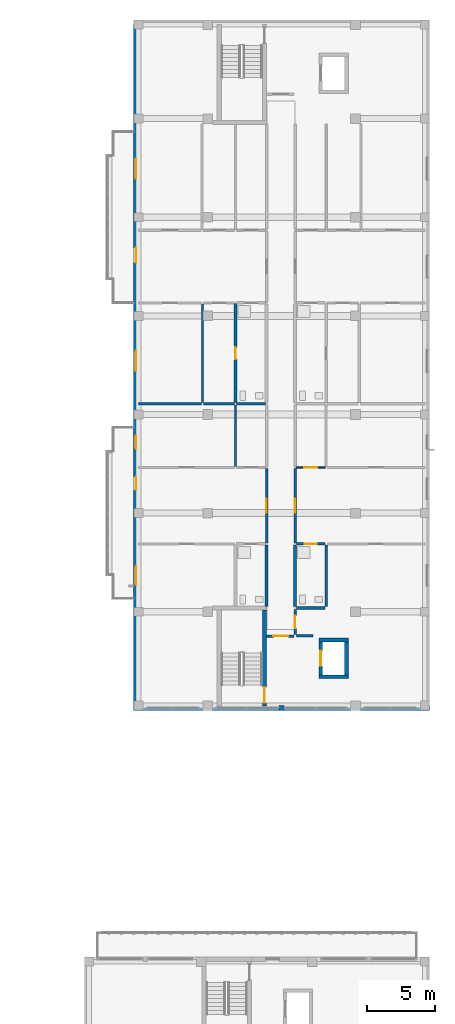
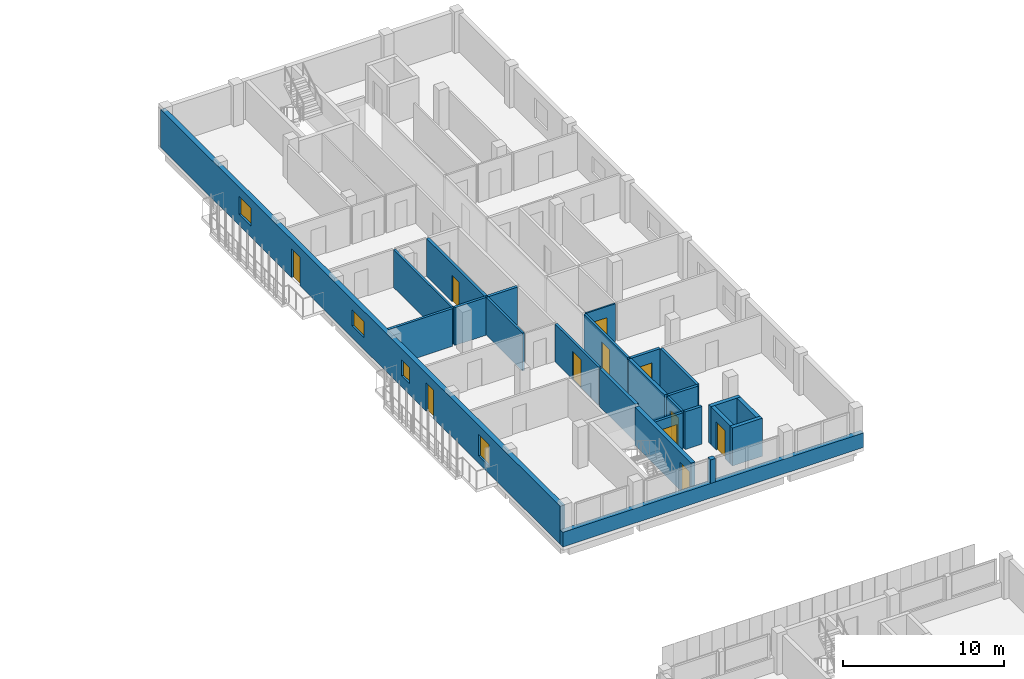
# One storey, part 34 of 51: 25 walls, 11 doors, 4 windows, 15 openings.
"""IFC4 building model written with IfcOpenShell, lengths in metres."""

from ifc_helpers import new_model, si_unit, derived_unit, direction, frame, frame_2d, origin, place, context, subcontext, project, spatial, rectangle, extrude, material, layer, layer_set, type_object, element, fill, save


model = new_model("IFC4")

# Units and contexts
model_context = context("Model", 3, precision=1e-05, world=origin(), true_north=direction((0.0, 1.0)))
body_context = subcontext(model_context, "Body", "Model", "MODEL_VIEW")
ifc_project = project(units=[si_unit("LENGTHUNIT", "METRE"), si_unit("AREAUNIT", "SQUARE_METRE"), si_unit("VOLUMEUNIT", "CUBIC_METRE"), si_unit("PLANEANGLEUNIT", "RADIAN"), si_unit("MASSUNIT", "GRAM", prefix="KILO"), derived_unit("THERMALTRANSMITTANCEUNIT", [(si_unit("MASSUNIT", "GRAM", prefix="KILO"), 1), (si_unit("TIMEUNIT", "SECOND"), -3), (si_unit("THERMODYNAMICTEMPERATUREUNIT", "KELVIN"), -1)])], contexts=[model_context])

# Site, building, storey
site_placement = place(None, origin())
site = spatial("IfcSite", under=ifc_project, at=site_placement, CompositionType="ELEMENT")
building_placement = place(site_placement, origin())
building = spatial("IfcBuilding", under=site, at=building_placement, Name="Ochrekiln Boulevard Commons", CompositionType="ELEMENT")
storey_placement = place(building_placement, frame((0.0, 0.0, 15.22509765625)))
storey = spatial("IfcBuildingStorey", under=building, at=storey_placement, Name="L04", CompositionType="ELEMENT", Elevation=15.22509765625)

# Wall, openings, doors, windows
ifc_material_1 = material(Name="Iron-spot brown clinker brick masonry ASTM C216 Grade SW", Category="masonry")
ifc_layer_1 = layer(ifc_material_1, 0.340087890625)
ifc_layer_set_1 = layer_set([ifc_layer_1], Name="Iron-spot brown clinker brick masonry ASTM C216 Grade SW")
wall_type_1 = type_object("IfcWallType", Name="WL-EXT-IRON-340", PredefinedType="SOLIDWALL", material=ifc_layer_set_1)
wall_1_placement = place(storey_placement, frame((151.3701171875, 68.739990234375, 0.0), z_axis=(0.0, 0.0, 1.0), x_axis=(0.0, 1.0, 0.0)))
wall_1 = element("IfcWall", 1, at=wall_1_placement, inside=storey, type_object=wall_type_1, Name="Block B L04 W Exterior Wall", PredefinedType="SOLIDWALL", context=body_context, shape_type="SweptSolid", body=[
    extrude(rectangle(XDim=49.719970703125, YDim=0.340087890625, at=frame_2d((24.85986328125, 0.0))), origin(), (0.0, 0.0, 1.0), 2.889892578125),
])
opening_1_placement = place(wall_1_placement, frame((15.764892578125, 0.0, 0.0)))
opening_1 = element("IfcOpeningElement", 2, at=opening_1_placement, cuts=wall_1, Name="Opening D-L04-BL027", PredefinedType="OPENING", context=body_context, shape_type="SweptSolid", body=[
    extrude(rectangle(XDim=0.949951171875, YDim=2.14990234375, at=frame_2d((0.47509765625, 1.074951171875))), frame((0.0, 0.179931640625, 0.0), z_axis=(0.0, -1.0, 0.0), x_axis=(1.0, 0.0, 0.0)), (0.0, 0.0, 1.0), 0.360107421875),
])
opening_2_placement = place(wall_1_placement, frame((8.822998046875, 0.0, 0.554931640625)))
opening_2 = element("IfcOpeningElement", 3, at=opening_2_placement, cuts=wall_1, Name="Opening W-24", PredefinedType="OPENING", context=body_context, shape_type="SweptSolid", body=[
    extrude(rectangle(XDim=1.35009765625, YDim=1.64990234375, at=frame_2d((0.675048828125, 0.824951171875))), frame((0.0, 0.179931640625, 0.0), z_axis=(0.0, -1.0, 0.0), x_axis=(1.0, 0.0, 0.0)), (0.0, 0.0, 1.0), 0.360107421875),
])
opening_3_placement = place(wall_1_placement, frame((18.760009765625, 0.0, 0.85009765625)))
opening_3 = element("IfcOpeningElement", 4, at=opening_3_placement, cuts=wall_1, Name="Opening W-01", PredefinedType="OPENING", context=body_context, shape_type="SweptSolid", body=[
    extrude(rectangle(XDim=0.949951171875, YDim=1.199951171875, at=frame_2d((0.47509765625, 0.60009765625))), frame((0.0, 0.179931640625, 0.0), z_axis=(0.0, -1.0, 0.0), x_axis=(1.0, 0.0, 0.0)), (0.0, 0.0, 1.0), 0.360107421875),
])
opening_4_placement = place(wall_1_placement, frame((32.344970703125, 0.0, 0.0)))
opening_4 = element("IfcOpeningElement", 5, at=opening_4_placement, cuts=wall_1, Name="Opening D-L04-BL028", PredefinedType="OPENING", context=body_context, shape_type="SweptSolid", body=[
    extrude(rectangle(XDim=1.080078125, YDim=2.179931640625, at=frame_2d((0.5400390625, 1.08984375))), frame((0.0, 0.179931640625, 0.0), z_axis=(0.0, -1.0, 0.0), x_axis=(1.0, 0.0, 0.0)), (0.0, 0.0, 1.0), 0.360107421875),
])
opening_5_placement = place(wall_1_placement, frame((24.422119140625, 0.0, 0.89990234375)))
opening_5 = element("IfcOpeningElement", 6, at=opening_5_placement, cuts=wall_1, Name="Opening W-26", PredefinedType="OPENING", context=body_context, shape_type="SweptSolid", body=[
    extrude(rectangle(XDim=1.47998046875, YDim=1.199951171875, at=frame_2d((0.739990234375, 0.60009765625))), frame((0.0, 0.179931640625, 0.0), z_axis=(0.0, -1.0, 0.0), x_axis=(1.0, 0.0, 0.0)), (0.0, 0.0, 1.0), 0.360107421875),
])
opening_6_placement = place(wall_1_placement, frame((38.455078125, 0.0, 0.85498046875)))
opening_6 = element("IfcOpeningElement", 7, at=opening_6_placement, cuts=wall_1, Name="Opening W-27", PredefinedType="OPENING", context=body_context, shape_type="SweptSolid", body=[
    extrude(rectangle(XDim=1.47998046875, YDim=1.35009765625, at=frame_2d((0.739990234375, 0.675048828125))), frame((0.0, 0.179931640625, 0.0), z_axis=(0.0, -1.0, 0.0), x_axis=(1.0, 0.0, 0.0)), (0.0, 0.0, 1.0), 0.360107421875),
])
ifc_material_2 = material(Name="Thermally broken aluminium-clad oak frame", Category="aluminium")
door_type_1 = type_object("IfcDoorType", Name="DR-EXT-BAL-095", OperationType="NOTDEFINED", PredefinedType="DOOR", material=ifc_material_2)
door_1_placement = place(opening_1_placement, origin())
door_1 = element("IfcDoor", 8, at=door_1_placement, inside=storey, type_object=door_type_1, Name="Block B L04 Glazed Balcony Patio Door", OperationType="SINGLE_SWING_RIGHT", OverallHeight=2.14990234375, OverallWidth=0.949951171875, PredefinedType="DOOR", context=body_context, shape_type="SweptSolid", body=[
    extrude(rectangle(XDim=0.949951171875, YDim=2.14990234375, at=frame_2d((0.47509765625, 1.074951171875))), frame((0.0, 0.02490234375, 0.0), z_axis=(0.0, -1.0, 0.0), x_axis=(1.0, 0.0, 0.0)), (0.0, 0.0, 1.0), 0.050048828125),
])
fill(opening_1, door_1)
door_type_2 = type_object("IfcDoorType", Name="DR-EXT-BAL-108", OperationType="NOTDEFINED", PredefinedType="DOOR", material=ifc_material_2)
door_2_placement = place(opening_4_placement, origin())
door_2 = element("IfcDoor", 9, at=door_2_placement, inside=storey, type_object=door_type_2, Name="Block B L04 Glazed Balcony Patio Door", OperationType="SINGLE_SWING_LEFT", OverallHeight=2.179931640625, OverallWidth=1.080078125, PredefinedType="DOOR", context=body_context, shape_type="SweptSolid", body=[
    extrude(rectangle(XDim=1.080078125, YDim=2.179931640625, at=frame_2d((0.5400390625, 1.08984375))), frame((0.0, 0.02490234375, 0.0), z_axis=(0.0, -1.0, 0.0), x_axis=(1.0, 0.0, 0.0)), (0.0, 0.0, 1.0), 0.050048828125),
])
fill(opening_4, door_2)
window_type_1 = type_object("IfcWindowType", Name="WIN-EXT-01", PartitioningType="SINGLE_PANEL", PredefinedType="WINDOW", material=ifc_material_2)
window_1_placement = place(opening_3_placement, origin())
window_1 = element("IfcWindow", 10, at=window_1_placement, inside=storey, type_object=window_type_1, Name="Block B L04 Punched Masonry Window W-01", OverallHeight=1.199951171875, OverallWidth=0.949951171875, PartitioningType="SINGLE_PANEL", PredefinedType="WINDOW", context=body_context, shape_type="SweptSolid", body=[
    extrude(rectangle(XDim=0.949951171875, YDim=1.199951171875, at=frame_2d((0.47509765625, 0.60009765625))), frame((0.0, 0.030029296875, 0.0), z_axis=(0.0, -1.0, 0.0), x_axis=(1.0, 0.0, 0.0)), (0.0, 0.0, 1.0), 0.06005859375),
])
fill(opening_3, window_1)
window_type_2 = type_object("IfcWindowType", Name="WIN-EXT-24", PartitioningType="SINGLE_PANEL", PredefinedType="WINDOW", material=ifc_material_2)
window_2_placement = place(opening_2_placement, origin())
window_2 = element("IfcWindow", 11, at=window_2_placement, inside=storey, type_object=window_type_2, Name="Block B L04 Punched Masonry Window W-24", OverallHeight=1.64990234375, OverallWidth=1.35009765625, PartitioningType="SINGLE_PANEL", PredefinedType="WINDOW", context=body_context, shape_type="SweptSolid", body=[
    extrude(rectangle(XDim=1.35009765625, YDim=1.64990234375, at=frame_2d((0.675048828125, 0.824951171875))), frame((0.0, 0.030029296875, 0.0), z_axis=(0.0, -1.0, 0.0), x_axis=(1.0, 0.0, 0.0)), (0.0, 0.0, 1.0), 0.06005859375),
])
fill(opening_2, window_2)
window_type_3 = type_object("IfcWindowType", Name="WIN-EXT-26", PartitioningType="SINGLE_PANEL", PredefinedType="WINDOW", material=ifc_material_2)
window_3_placement = place(opening_5_placement, origin())
window_3 = element("IfcWindow", 12, at=window_3_placement, inside=storey, type_object=window_type_3, Name="Block B L04 Punched Masonry Window W-26", OverallHeight=1.199951171875, OverallWidth=1.47998046875, PartitioningType="SINGLE_PANEL", PredefinedType="WINDOW", context=body_context, shape_type="SweptSolid", body=[
    extrude(rectangle(XDim=1.47998046875, YDim=1.199951171875, at=frame_2d((0.739990234375, 0.60009765625))), frame((0.0, 0.030029296875, 0.0), z_axis=(0.0, -1.0, 0.0), x_axis=(1.0, 0.0, 0.0)), (0.0, 0.0, 1.0), 0.06005859375),
])
fill(opening_5, window_3)
window_type_4 = type_object("IfcWindowType", Name="WIN-EXT-27", PartitioningType="SINGLE_PANEL", PredefinedType="WINDOW", material=ifc_material_2)
window_4_placement = place(opening_6_placement, origin())
window_4 = element("IfcWindow", 13, at=window_4_placement, inside=storey, type_object=window_type_4, Name="Block B L04 Punched Masonry Window W-27", OverallHeight=1.35009765625, OverallWidth=1.47998046875, PartitioningType="SINGLE_PANEL", PredefinedType="WINDOW", context=body_context, shape_type="SweptSolid", body=[
    extrude(rectangle(XDim=1.47998046875, YDim=1.35009765625, at=frame_2d((0.739990234375, 0.675048828125))), frame((0.0, 0.030029296875, 0.0), z_axis=(0.0, -1.0, 0.0), x_axis=(1.0, 0.0, 0.0)), (0.0, 0.0, 1.0), 0.06005859375),
])
fill(opening_6, window_4)

# Walls
wall_2_placement = place(storey_placement, frame((151.199951171875, 68.570068359375, 0.0), z_axis=(0.0, 0.0, 1.0), x_axis=(1.0, 0.0, 0.0)))
element("IfcWall", 14, at=wall_2_placement, inside=storey, type_object=wall_type_1, Name="Block B L04 Courtyard Gable Sill Wall", PredefinedType="SOLIDWALL", context=body_context, shape_type="SweptSolid", body=[
    extrude(rectangle(XDim=21.60009765625, YDim=0.340087890625, at=frame_2d((10.800048828125, 0.0))), origin(), (0.0, 0.0, 1.0), 1.10986328125),
])
wall_3_placement = place(storey_placement, frame((161.820068359375, 68.570068359375, 1.10986328125), z_axis=(0.0, 0.0, 1.0), x_axis=(1.0, 0.0, 0.0)))
element("IfcWall", 15, at=wall_3_placement, inside=storey, type_object=wall_type_1, Name="Block B L04 Courtyard Gable Mullion Pier", PredefinedType="SOLIDWALL", context=body_context, shape_type="SweptSolid", body=[
    extrude(rectangle(XDim=0.35986328125, YDim=0.340087890625, at=frame_2d((0.179931640625, 0.0))), origin(), (0.0, 0.0, 1.0), 1.780029296875),
])
ifc_material_3 = material(Name="Moisture-resistant cementitious tile backer wall")
ifc_layer_2 = layer(ifc_material_3, 0.199951171875)
ifc_layer_set_2 = layer_set([ifc_layer_2], Name="Moisture-resistant cementitious tile backer wall")
wall_type_2 = type_object("IfcWallType", Name="WL-PLM-200", PredefinedType="PLUMBINGWALL", material=ifc_layer_set_2)
wall_4_placement = place(storey_placement, frame((163.072998046875, 75.875, 0.0), z_axis=(0.0, 0.0, 1.0), x_axis=(1.0, 0.0, 0.0)))
element("IfcWall", 16, at=wall_4_placement, inside=storey, type_object=wall_type_2, Name="L04 Interior Wall W-PW200", PredefinedType="PLUMBINGWALL", context=body_context, shape_type="SweptSolid", body=[
    extrude(rectangle(XDim=2.10693359375, YDim=0.199951171875, at=frame_2d((1.053466796875, 0.0))), origin(), (0.0, 0.0, 1.0), 2.869873046875),
])
wall_5_placement = place(storey_placement, frame((158.715087890625, 90.783935546875, 0.0), z_axis=(0.0, 0.0, 1.0), x_axis=(1.0, 0.0, 0.0)))
element("IfcWall", 17, at=wall_5_placement, inside=storey, type_object=wall_type_2, Name="L04 Interior Wall W-PW200", PredefinedType="PLUMBINGWALL", context=body_context, shape_type="SweptSolid", body=[
    extrude(rectangle(XDim=2.11181640625, YDim=0.199951171875, at=frame_2d((1.055908203125, 0.0))), origin(), (0.0, 0.0, 1.0), 2.869873046875),
])

# Wall, opening, door
wall_6_placement = place(storey_placement, frame((158.639892578125, 90.8740234375, 0.0), z_axis=(0.0, 0.0, 1.0), x_axis=(0.0, 1.0, 0.0)))
wall_6 = element("IfcWall", 18, at=wall_6_placement, inside=storey, type_object=wall_type_2, Name="L04 Interior Wall W-PW200", PredefinedType="PLUMBINGWALL", context=body_context, shape_type="SweptSolid", body=[
    extrude(rectangle(XDim=7.216064453125, YDim=0.199951171875, at=frame_2d((3.60791015625, 0.0))), origin(), (0.0, 0.0, 1.0), 2.869873046875),
])
opening_7_placement = place(wall_6_placement, frame((3.173095703125, 0.0, 0.0)))
opening_7 = element("IfcOpeningElement", 19, at=opening_7_placement, cuts=wall_6, Name="Opening D-L04-601", PredefinedType="OPENING", context=body_context, shape_type="SweptSolid", body=[
    extrude(rectangle(XDim=0.85009765625, YDim=2.010009765625, at=frame_2d((0.425048828125, 1.0048828125))), frame((0.0, 0.10986328125, 0.0), z_axis=(0.0, -1.0, 0.0), x_axis=(1.0, 0.0, 0.0)), (0.0, 0.0, 1.0), 0.219970703125),
])
ifc_material_4 = material(Name="Solid core architectural oak door leaf")
door_type_3 = type_object("IfcDoorType", Name="DR-INT-KIT-085", OperationType="NOTDEFINED", PredefinedType="DOOR", material=ifc_material_4)
door_3_placement = place(opening_7_placement, frame((0.85009765625, 0.0, 0.0), z_axis=(0.0, 0.0, 1.0), x_axis=(-1.0, 0.0, 0.0)))
door_3 = element("IfcDoor", 20, at=door_3_placement, inside=storey, type_object=door_type_3, Name="L04 Interior Door to Apartment Bathroom", OperationType="SINGLE_SWING_LEFT", OverallHeight=2.010009765625, OverallWidth=0.85009765625, PredefinedType="DOOR", context=body_context, shape_type="SweptSolid", body=[
    extrude(rectangle(XDim=0.85009765625, YDim=2.010009765625, at=frame_2d((0.425048828125, 1.0048828125))), frame((0.0, 0.02490234375, 0.0), z_axis=(0.0, -1.0, 0.0), x_axis=(1.0, 0.0, 0.0)), (0.0, 0.0, 1.0), 0.050048828125),
])
fill(opening_7, door_3)

wall_7_placement = place(storey_placement, frame((163.072998046875, 80.554931640625, 0.0), z_axis=(0.0, 0.0, 1.0), x_axis=(1.0, 0.0, 0.0)))
wall_7 = element("IfcWall", 21, at=wall_7_placement, inside=storey, type_object=wall_type_2, Name="L04 Interior Wall W-PW200", PredefinedType="PLUMBINGWALL", context=body_context, shape_type="SweptSolid", body=[
    extrude(rectangle(XDim=2.10693359375, YDim=0.199951171875, at=frame_2d((1.053466796875, 0.0))), origin(), (0.0, 0.0, 1.0), 2.869873046875),
])
opening_8_placement = place(wall_7_placement, frame((0.626953125, 0.0, 0.0)))
opening_8 = element("IfcOpeningElement", 22, at=opening_8_placement, cuts=wall_7, Name="Opening D-L04-602", PredefinedType="OPENING", context=body_context, shape_type="SweptSolid", body=[
    extrude(rectangle(XDim=0.860107421875, YDim=2.0, at=frame_2d((0.43017578125, 1.0))), frame((0.0, 0.10986328125, 0.0), z_axis=(0.0, -1.0, 0.0), x_axis=(1.0, 0.0, 0.0)), (0.0, 0.0, 1.0), 0.219970703125),
])
door_type_4 = type_object("IfcDoorType", Name="DR-INT-BTH-086", OperationType="NOTDEFINED", PredefinedType="DOOR", material=ifc_material_4)
door_4_placement = place(opening_8_placement, frame((0.860107421875, 0.0, 0.0), z_axis=(0.0, 0.0, 1.0), x_axis=(-1.0, 0.0, 0.0)))
door_4 = element("IfcDoor", 23, at=door_4_placement, inside=storey, type_object=door_type_4, Name="L04 Interior Door to Apartment Bathroom", OperationType="SINGLE_SWING_RIGHT", OverallHeight=2.0, OverallWidth=0.860107421875, PredefinedType="DOOR", context=body_context, shape_type="SweptSolid", body=[
    extrude(rectangle(XDim=0.860107421875, YDim=2.0, at=frame_2d((0.43017578125, 1.0))), frame((0.0, 0.02490234375, 0.0), z_axis=(0.0, -1.0, 0.0), x_axis=(1.0, 0.0, 0.0)), (0.0, 0.0, 1.0), 0.050048828125),
])
fill(opening_8, door_4)

# Walls
wall_8_placement = place(storey_placement, frame((165.260009765625, 75.97509765625, 0.0), z_axis=(0.0, 0.0, 1.0), x_axis=(0.0, 1.0, 0.0)))
element("IfcWall", 24, at=wall_8_placement, inside=storey, type_object=wall_type_2, Name="L04 Interior Wall W-PW200", PredefinedType="PLUMBINGWALL", context=body_context, shape_type="SweptSolid", body=[
    extrude(rectangle(XDim=4.5048828125, YDim=0.199951171875, at=frame_2d((2.25244140625, 0.0))), origin(), (0.0, 0.0, 1.0), 2.869873046875),
])
ifc_layer_3 = layer(ifc_material_3, 0.219970703125)
ifc_layer_set_3 = layer_set([ifc_layer_3], Name="Moisture-resistant cementitious tile backer wall")
wall_type_3 = type_object("IfcWallType", Name="WL-PLM-220", PredefinedType="PLUMBINGWALL", material=ifc_layer_set_3)
wall_9_placement = place(storey_placement, frame((160.909912109375, 76.0, 0.0), z_axis=(0.0, 0.0, 1.0), x_axis=(0.0, 1.0, 0.0)))
element("IfcWall", 25, at=wall_9_placement, inside=storey, type_object=wall_type_3, Name="L04 Interior Wall W-PW220", PredefinedType="PLUMBINGWALL", context=body_context, shape_type="SweptSolid", body=[
    extrude(rectangle(XDim=4.47509765625, YDim=0.219970703125, at=frame_2d((2.237548828125, 0.0))), origin(), (0.0, 0.0, 1.0), 2.869873046875),
])
wall_10_placement = place(storey_placement, frame((162.989990234375, 75.97509765625, 0.0), z_axis=(0.0, 0.0, 1.0), x_axis=(0.0, 1.0, 0.0)))
element("IfcWall", 26, at=wall_10_placement, inside=storey, type_object=wall_type_3, Name="L04 Interior Wall W-PW220", PredefinedType="PLUMBINGWALL", context=body_context, shape_type="SweptSolid", body=[
    extrude(rectangle(XDim=4.5, YDim=0.219970703125, at=frame_2d((2.25, 0.0))), origin(), (0.0, 0.0, 1.0), 2.869873046875),
])

# Wall, opening, door
ifc_material_5 = material(Name="Fire-rated Type X gypsum board on steel studs", Category="steel")
ifc_layer_4 = layer(ifc_material_5, 0.1650390625)
ifc_layer_set_4 = layer_set([ifc_layer_4], Name="Fire-rated Type X gypsum board on steel studs")
wall_type_4 = type_object("IfcWallType", Name="WL-PT-CORR-165", PredefinedType="PARTITIONING", material=ifc_layer_set_4)
wall_11_placement = place(storey_placement, frame((162.989990234375, 73.929931640625, 0.0), z_axis=(0.0, 0.0, 1.0), x_axis=(0.0, 1.0, 0.0)))
wall_11 = element("IfcWall", 27, at=wall_11_placement, inside=storey, type_object=wall_type_4, Name="L04 Interior Wall W-PC165", PredefinedType="PARTITIONING", context=body_context, shape_type="SweptSolid", body=[
    extrude(rectangle(XDim=1.820068359375, YDim=0.1650390625, at=frame_2d((0.91015625, 0.0))), origin(), (0.0, 0.0, 1.0), 2.869873046875),
])
opening_9_placement = place(wall_11_placement, frame((0.4599609375, 0.0, 0.0)))
opening_9 = element("IfcOpeningElement", 28, at=opening_9_placement, cuts=wall_11, Name="Opening D-L04-586", PredefinedType="OPENING", context=body_context, shape_type="SweptSolid", body=[
    extrude(rectangle(XDim=0.919921875, YDim=2.0400390625, at=frame_2d((0.4599609375, 1.02001953125))), frame((0.0, 0.092529296875, 0.0), z_axis=(0.0, -1.0, 0.0), x_axis=(1.0, 0.0, 0.0)), (0.0, 0.0, 1.0), 0.18505859375),
])
ifc_material_6 = material(Name="Hollow metal fire-rated steel door assembly", Category="steel")
door_type_5 = type_object("IfcDoorType", Name="DR-SRV-90", OperationType="NOTDEFINED", PredefinedType="DOOR", material=ifc_material_6)
door_5_placement = place(opening_9_placement, frame((0.919921875, 0.0, 0.0), z_axis=(0.0, 0.0, 1.0), x_axis=(-1.0, 0.0, 0.0)))
door_5 = element("IfcDoor", 29, at=door_5_placement, inside=storey, type_object=door_type_5, Name="L04 Interior Door to Hydronic and Electrical Riser Room", OperationType="SINGLE_SWING_RIGHT", OverallHeight=2.0400390625, OverallWidth=0.919921875, PredefinedType="DOOR", context=body_context, shape_type="SweptSolid", body=[
    extrude(rectangle(XDim=0.919921875, YDim=2.0400390625, at=frame_2d((0.4599609375, 1.02001953125))), frame((0.0, 0.02490234375, 0.0), z_axis=(0.0, -1.0, 0.0), x_axis=(1.0, 0.0, 0.0)), (0.0, 0.0, 1.0), 0.050048828125),
])
fill(opening_9, door_5)

wall_12_placement = place(storey_placement, frame((160.909912109375, 80.635009765625, 0.0), z_axis=(0.0, 0.0, 1.0), x_axis=(0.0, 1.0, 0.0)))
wall_12 = element("IfcWall", 30, at=wall_12_placement, inside=storey, type_object=wall_type_4, Name="L04 Interior Wall W-PC165", PredefinedType="PARTITIONING", context=body_context, shape_type="SweptSolid", body=[
    extrude(rectangle(XDim=5.424072265625, YDim=0.1650390625, at=frame_2d((2.7119140625, 0.0))), origin(), (0.0, 0.0, 1.0), 2.869873046875),
])
opening_10_placement = place(wall_12_placement, frame((2.20703125, 0.0, 0.0)))
opening_10 = element("IfcOpeningElement", 31, at=opening_10_placement, cuts=wall_12, Name="Opening D-L04-587", PredefinedType="OPENING", context=body_context, shape_type="SweptSolid", body=[
    extrude(rectangle(XDim=1.010009765625, YDim=2.110107421875, at=frame_2d((0.5048828125, 1.05517578125))), frame((0.0, 0.092529296875, 0.0), z_axis=(0.0, -1.0, 0.0), x_axis=(1.0, 0.0, 0.0)), (0.0, 0.0, 1.0), 0.18505859375),
])
door_type_6 = type_object("IfcDoorType", Name="DR-INT-APT-101", OperationType="NOTDEFINED", PredefinedType="DOOR", material=ifc_material_4)
door_6_placement = place(opening_10_placement, origin())
door_6 = element("IfcDoor", 32, at=door_6_placement, inside=storey, type_object=door_type_6, Name="L04 Interior Door to Two-Bedroom Apartment Living Room", OperationType="SINGLE_SWING_LEFT", OverallHeight=2.110107421875, OverallWidth=1.010009765625, PredefinedType="DOOR", context=body_context, shape_type="SweptSolid", body=[
    extrude(rectangle(XDim=1.010009765625, YDim=2.110107421875, at=frame_2d((0.5048828125, 1.05517578125))), frame((0.0, 0.02490234375, 0.0), z_axis=(0.0, -1.0, 0.0), x_axis=(1.0, 0.0, 0.0)), (0.0, 0.0, 1.0), 0.050048828125),
])
fill(opening_10, door_6)

wall_13_placement = place(storey_placement, frame((162.989990234375, 80.635009765625, 0.0), z_axis=(0.0, 0.0, 1.0), x_axis=(0.0, 1.0, 0.0)))
wall_13 = element("IfcWall", 33, at=wall_13_placement, inside=storey, type_object=wall_type_4, Name="L04 Interior Wall W-PC165", PredefinedType="PARTITIONING", context=body_context, shape_type="SweptSolid", body=[
    extrude(rectangle(XDim=5.424072265625, YDim=0.1650390625, at=frame_2d((2.7119140625, 0.0))), origin(), (0.0, 0.0, 1.0), 2.869873046875),
])
opening_11_placement = place(wall_13_placement, frame((2.20703125, 0.0, 0.0)))
opening_11 = element("IfcOpeningElement", 34, at=opening_11_placement, cuts=wall_13, Name="Opening D-L04-589", PredefinedType="OPENING", context=body_context, shape_type="SweptSolid", body=[
    extrude(rectangle(XDim=1.010009765625, YDim=2.110107421875, at=frame_2d((0.5048828125, 1.05517578125))), frame((0.0, 0.092529296875, 0.0), z_axis=(0.0, -1.0, 0.0), x_axis=(1.0, 0.0, 0.0)), (0.0, 0.0, 1.0), 0.18505859375),
])
door_7_placement = place(opening_11_placement, frame((1.010009765625, 0.0, 0.0), z_axis=(0.0, 0.0, 1.0), x_axis=(-1.0, 0.0, 0.0)))
door_7 = element("IfcDoor", 35, at=door_7_placement, inside=storey, type_object=door_type_6, Name="L04 Interior Door to Two-Bedroom Apartment Living Room", OperationType="SINGLE_SWING_LEFT", OverallHeight=2.110107421875, OverallWidth=1.010009765625, PredefinedType="DOOR", context=body_context, shape_type="SweptSolid", body=[
    extrude(rectangle(XDim=1.010009765625, YDim=2.110107421875, at=frame_2d((0.5048828125, 1.05517578125))), frame((0.0, 0.02490234375, 0.0), z_axis=(0.0, -1.0, 0.0), x_axis=(1.0, 0.0, 0.0)), (0.0, 0.0, 1.0), 0.050048828125),
])
fill(opening_11, door_7)

# Walls
ifc_layer_5 = layer(ifc_material_5, 0.179931640625)
ifc_layer_set_5 = layer_set([ifc_layer_5], Name="Fire-rated Type X gypsum board on steel studs")
wall_type_5 = type_object("IfcWallType", Name="WL-PT-DEM-180", PredefinedType="PARTITIONING", material=ifc_layer_set_5)
wall_14_placement = place(storey_placement, frame((151.5400390625, 90.783935546875, 0.0), z_axis=(0.0, 0.0, 1.0), x_axis=(1.0, 0.0, 0.0)))
element("IfcWall", 36, at=wall_14_placement, inside=storey, type_object=wall_type_5, Name="L04 Interior Wall W-PD180", PredefinedType="PARTITIONING", context=body_context, shape_type="SweptSolid", body=[
    extrude(rectangle(XDim=4.60986328125, YDim=0.179931640625, at=frame_2d((2.304931640625, 0.0))), origin(), (0.0, 0.0, 1.0), 2.869873046875),
])
wall_15_placement = place(storey_placement, frame((156.31005859375, 90.783935546875, 0.0), z_axis=(0.0, 0.0, 1.0), x_axis=(1.0, 0.0, 0.0)))
element("IfcWall", 37, at=wall_15_placement, inside=storey, type_object=wall_type_5, Name="L04 Interior Wall W-PD180", PredefinedType="PARTITIONING", context=body_context, shape_type="SweptSolid", body=[
    extrude(rectangle(XDim=2.25, YDim=0.179931640625, at=frame_2d((1.125, 0.0))), origin(), (0.0, 0.0, 1.0), 2.869873046875),
])
ifc_layer_6 = layer(ifc_material_5, 0.18994140625)
ifc_layer_set_6 = layer_set([ifc_layer_6], Name="Fire-rated Type X gypsum board on steel studs")
wall_type_6 = type_object("IfcWallType", Name="WL-PT-LBY-190", PredefinedType="PARTITIONING", material=ifc_layer_set_6)
wall_16_placement = place(storey_placement, frame((163.080078125, 73.8349609375, 0.0), z_axis=(0.0, 0.0, 1.0), x_axis=(1.0, 0.0, 0.0)))
element("IfcWall", 38, at=wall_16_placement, inside=storey, type_object=wall_type_6, Name="L04 Interior Wall W-PL190", PredefinedType="PARTITIONING", context=body_context, shape_type="SweptSolid", body=[
    extrude(rectangle(XDim=1.219970703125, YDim=0.18994140625, at=frame_2d((0.60986328125, 0.0))), origin(), (0.0, 0.0, 1.0), 2.869873046875),
])

# Wall, opening, door
wall_17_placement = place(storey_placement, frame((160.89990234375, 73.820068359375, 0.0), z_axis=(0.0, 0.0, 1.0), x_axis=(1.0, 0.0, 0.0)))
wall_17 = element("IfcWall", 39, at=wall_17_placement, inside=storey, type_object=wall_type_6, Name="L04 Interior Wall W-PL190", PredefinedType="PARTITIONING", context=body_context, shape_type="SweptSolid", body=[
    extrude(rectangle(XDim=2.0, YDim=0.18994140625, at=frame_2d((1.0, 0.0))), origin(), (0.0, 0.0, 1.0), 2.869873046875),
])
opening_12_placement = place(wall_17_placement, frame((0.5, 0.0, 0.0)))
opening_12 = element("IfcOpeningElement", 40, at=opening_12_placement, cuts=wall_17, Name="Opening D-L04-584", PredefinedType="OPENING", context=body_context, shape_type="SweptSolid", body=[
    extrude(rectangle(XDim=1.10009765625, YDim=2.1201171875, at=frame_2d((0.550048828125, 1.06005859375))), frame((0.0, 0.10498046875, 0.0), z_axis=(0.0, -1.0, 0.0), x_axis=(1.0, 0.0, 0.0)), (0.0, 0.0, 1.0), 0.2099609375),
])
door_type_7 = type_object("IfcDoorType", Name="DR-LOBBY-60", OperationType="NOTDEFINED", PredefinedType="DOOR", material=ifc_material_6)
door_8_placement = place(opening_12_placement, frame((1.10009765625, 0.0, 0.0), z_axis=(0.0, 0.0, 1.0), x_axis=(-1.0, 0.0, 0.0)))
door_8 = element("IfcDoor", 41, at=door_8_placement, inside=storey, type_object=door_type_7, Name="L04 Interior Door to Fire Service Access Elevator Lobby", OperationType="SINGLE_SWING_RIGHT", OverallHeight=2.1201171875, OverallWidth=1.10009765625, PredefinedType="DOOR", context=body_context, shape_type="SweptSolid", body=[
    extrude(rectangle(XDim=1.10009765625, YDim=2.1201171875, at=frame_2d((0.550048828125, 1.06005859375))), frame((0.0, 0.02490234375, 0.0), z_axis=(0.0, -1.0, 0.0), x_axis=(1.0, 0.0, 0.0)), (0.0, 0.0, 1.0), 0.050048828125),
])
fill(opening_12, door_8)

ifc_layer_7 = layer(ifc_material_5, 0.1201171875)
ifc_layer_set_7 = layer_set([ifc_layer_7], Name="Fire-rated Type X gypsum board on steel studs")
wall_type_7 = type_object("IfcWallType", Name="WL-PT-LGT-120", PredefinedType="PARTITIONING", material=ifc_layer_set_7)
wall_18_placement = place(storey_placement, frame((163.072998046875, 86.138916015625, 0.0), z_axis=(0.0, 0.0, 1.0), x_axis=(1.0, 0.0, 0.0)))
wall_18 = element("IfcWall", 42, at=wall_18_placement, inside=storey, type_object=wall_type_7, Name="L04 Interior Wall W-PL120", PredefinedType="PARTITIONING", context=body_context, shape_type="SweptSolid", body=[
    extrude(rectangle(XDim=2.10693359375, YDim=0.1201171875, at=frame_2d((1.053466796875, 0.0))), origin(), (0.0, 0.0, 1.0), 2.869873046875),
])
opening_13_placement = place(wall_18_placement, frame((0.596923828125, 0.0, 0.0)))
opening_13 = element("IfcOpeningElement", 43, at=opening_13_placement, cuts=wall_18, Name="Opening D-L04-603", PredefinedType="OPENING", context=body_context, shape_type="SweptSolid", body=[
    extrude(rectangle(XDim=0.919921875, YDim=2.02001953125, at=frame_2d((0.4599609375, 1.010009765625))), frame((0.0, 0.070068359375, 0.0), z_axis=(0.0, -1.0, 0.0), x_axis=(1.0, 0.0, 0.0)), (0.0, 0.0, 1.0), 0.14013671875),
])
door_type_8 = type_object("IfcDoorType", Name="DR-INT-KIT-092", OperationType="NOTDEFINED", PredefinedType="DOOR", material=ifc_material_4)
door_9_placement = place(opening_13_placement, origin())
door_9 = element("IfcDoor", 44, at=door_9_placement, inside=storey, type_object=door_type_8, Name="L04 Interior Door to Apartment Kitchen", OperationType="SINGLE_SWING_LEFT", OverallHeight=2.02001953125, OverallWidth=0.919921875, PredefinedType="DOOR", context=body_context, shape_type="SweptSolid", body=[
    extrude(rectangle(XDim=0.919921875, YDim=2.02001953125, at=frame_2d((0.4599609375, 1.010009765625))), frame((0.0, 0.02490234375, 0.0), z_axis=(0.0, -1.0, 0.0), x_axis=(1.0, 0.0, 0.0)), (0.0, 0.0, 1.0), 0.050048828125),
])
fill(opening_13, door_9)

# Walls
ifc_layer_8 = layer(ifc_material_5, 0.14990234375)
ifc_layer_set_8 = layer_set([ifc_layer_8], Name="Fire-rated Type X gypsum board on steel studs")
wall_type_8 = type_object("IfcWallType", Name="WL-PT-STD-150", PredefinedType="PARTITIONING", material=ifc_layer_set_8)
wall_19_placement = place(storey_placement, frame((158.639892578125, 86.198974609375, 0.0), z_axis=(0.0, 0.0, 1.0), x_axis=(0.0, 1.0, 0.0)))
element("IfcWall", 45, at=wall_19_placement, inside=storey, type_object=wall_type_8, Name="L04 Interior Wall W-PS150", PredefinedType="PARTITIONING", context=body_context, shape_type="SweptSolid", body=[
    extrude(rectangle(XDim=4.4951171875, YDim=0.14990234375, at=frame_2d((2.24755859375, 0.0))), origin(), (0.0, 0.0, 1.0), 2.869873046875),
])
wall_20_placement = place(storey_placement, frame((156.22998046875, 90.8740234375, 0.0), z_axis=(0.0, 0.0, 1.0), x_axis=(0.0, 1.0, 0.0)))
element("IfcWall", 46, at=wall_20_placement, inside=storey, type_object=wall_type_8, Name="L04 Interior Wall W-PS150", PredefinedType="PARTITIONING", context=body_context, shape_type="SweptSolid", body=[
    extrude(rectangle(XDim=7.200927734375, YDim=0.14990234375, at=frame_2d((3.6005859375, 0.0))), origin(), (0.0, 0.0, 1.0), 2.869873046875),
])
ifc_material_7 = material(Name="Concrete C40/50", Category="concrete")
ifc_layer_9 = layer(ifc_material_7, 0.27490234375)
ifc_layer_set_9 = layer_set([ifc_layer_9], Name="Concrete C40/50")
wall_type_9 = type_object("IfcWallType", Name="WL-SH-275", PredefinedType="SHEAR", material=ifc_layer_set_9)
for number, where, z_axis, x_axis, name in (
    (47, (164.72509765625, 70.862548828125, 0.0), (0.0, 0.0, 1.0), (1.0, 0.0, 0.0), "Elevator FF-B1 L04 Hoistway Shear Wall"),
    (48, (164.72509765625, 73.53759765625, 0.0), (0.0, 0.0, 1.0), (1.0, 0.0, 0.0), "Elevator FF-B1 L04 Hoistway Shear Wall"),
):
    element("IfcWall", number, at=place(storey_placement, frame(where, z_axis=z_axis, x_axis=x_axis)), inside=storey, type_object=wall_type_9, Name=name, PredefinedType="SHEAR", context=body_context, shape_type="SweptSolid", body=[
        extrude(rectangle(XDim=2.14990234375, YDim=0.27490234375, at=frame_2d((1.074951171875, 0.0))), origin(), (0.0, 0.0, 1.0), 2.889892578125),
    ])

# Wall, opening, door
wall_21_placement = place(storey_placement, frame((164.862548828125, 71.0, 0.0), z_axis=(0.0, 0.0, 1.0), x_axis=(0.0, 1.0, 0.0)))
wall_21 = element("IfcWall", 49, at=wall_21_placement, inside=storey, type_object=wall_type_9, Name="Elevator FF-B1 L04 Hoistway Shear Wall", PredefinedType="SHEAR", context=body_context, shape_type="SweptSolid", body=[
    extrude(rectangle(XDim=2.39990234375, YDim=0.27490234375, at=frame_2d((1.199951171875, 0.0))), origin(), (0.0, 0.0, 1.0), 2.889892578125),
])
opening_14_placement = place(wall_21_placement, frame((0.64990234375, 0.0, 0.0)))
opening_14 = element("IfcOpeningElement", 50, at=opening_14_placement, cuts=wall_21, Name="Opening LD-FF-B1-L04", PredefinedType="OPENING", context=body_context, shape_type="SweptSolid", body=[
    extrude(rectangle(XDim=1.10009765625, YDim=2.14990234375, at=frame_2d((0.550048828125, 1.074951171875))), frame((0.0, 0.1474609375, 0.0), z_axis=(0.0, -1.0, 0.0), x_axis=(1.0, 0.0, 0.0)), (0.0, 0.0, 1.0), 0.294921875),
])
ifc_material_8 = material(Name="Brushed stainless steel 316 elevator cab and doors", Category="steel")
door_type_9 = type_object("IfcDoorType", Name="DR-LIFT-LD90", OperationType="SLIDING_TO_LEFT", PredefinedType="DOOR", material=ifc_material_8)
door_10_placement = place(opening_14_placement, origin())
door_10 = element("IfcDoor", 51, at=door_10_placement, inside=storey, type_object=door_type_9, Name="Elevator FF-B1 L04 Sliding Landing Door LD-FF-B1-L04", OperationType="SLIDING_TO_LEFT", OverallHeight=2.14990234375, OverallWidth=1.10009765625, PredefinedType="DOOR", context=body_context, shape_type="SweptSolid", body=[
    extrude(rectangle(XDim=1.10009765625, YDim=2.14990234375, at=frame_2d((0.550048828125, 1.074951171875))), frame((0.0, 0.02490234375, 0.0), z_axis=(0.0, -1.0, 0.0), x_axis=(1.0, 0.0, 0.0)), (0.0, 0.0, 1.0), 0.050048828125),
])
fill(opening_14, door_10)

# Wall
wall_22_placement = place(storey_placement, frame((166.737548828125, 71.0, 0.0), z_axis=(0.0, 0.0, 1.0), x_axis=(0.0, 1.0, 0.0)))
element("IfcWall", 52, at=wall_22_placement, inside=storey, type_object=wall_type_9, Name="Elevator FF-B1 L04 Hoistway Shear Wall", PredefinedType="SHEAR", context=body_context, shape_type="SweptSolid", body=[
    extrude(rectangle(XDim=2.39990234375, YDim=0.27490234375, at=frame_2d((1.199951171875, 0.0))), origin(), (0.0, 0.0, 1.0), 2.889892578125),
])

# Wall, opening, door
ifc_layer_10 = layer(ifc_material_7, 0.300048828125)
ifc_layer_set_10 = layer_set([ifc_layer_10], Name="Concrete C40/50")
wall_type_10 = type_object("IfcWallType", Name="WL-SH-300", PredefinedType="SHEAR", material=ifc_layer_set_10)
wall_23_placement = place(storey_placement, frame((160.75, 68.719970703125, 0.0), z_axis=(0.0, 0.0, 1.0), x_axis=(0.0, 1.0, 0.0)))
wall_23 = element("IfcWall", 53, at=wall_23_placement, inside=storey, type_object=wall_type_10, Name="Stair ST-B1 L04 Core Shear Wall E", PredefinedType="SHEAR", context=body_context, shape_type="SweptSolid", body=[
    extrude(rectangle(XDim=7.0, YDim=0.300048828125, at=frame_2d((3.5, 0.0))), origin(), (0.0, 0.0, 1.0), 2.889892578125),
])
opening_15_placement = place(wall_23_placement, frame((0.22509765625, 0.0, 0.0)))
opening_15 = element("IfcOpeningElement", 54, at=opening_15_placement, cuts=wall_23, Name="Opening D-L04-ST-B1", PredefinedType="OPENING", context=body_context, shape_type="SweptSolid", body=[
    extrude(rectangle(XDim=1.14990234375, YDim=2.1201171875, at=frame_2d((0.574951171875, 1.06005859375))), frame((0.0, 0.159912109375, 0.0), z_axis=(0.0, -1.0, 0.0), x_axis=(1.0, 0.0, 0.0)), (0.0, 0.0, 1.0), 0.320068359375),
])
door_type_10 = type_object("IfcDoorType", Name="DR-STAIR-90", OperationType="NOTDEFINED", PredefinedType="DOOR", material=ifc_material_6)
door_11_placement = place(opening_15_placement, origin())
door_11 = element("IfcDoor", 55, at=door_11_placement, inside=storey, type_object=door_type_10, Name="Enclosed Exit Stair ST-B1 L04 Rated Door", OperationType="SINGLE_SWING_RIGHT", OverallHeight=2.1201171875, OverallWidth=1.14990234375, PredefinedType="DOOR", context=body_context, shape_type="SweptSolid", body=[
    extrude(rectangle(XDim=1.14990234375, YDim=2.1201171875, at=frame_2d((0.574951171875, 1.06005859375))), frame((0.0, 0.02490234375, 0.0), z_axis=(0.0, -1.0, 0.0), x_axis=(1.0, 0.0, 0.0)), (0.0, 0.0, 1.0), 0.050048828125),
])
fill(opening_15, door_11)

save(model, "model.ifc")
